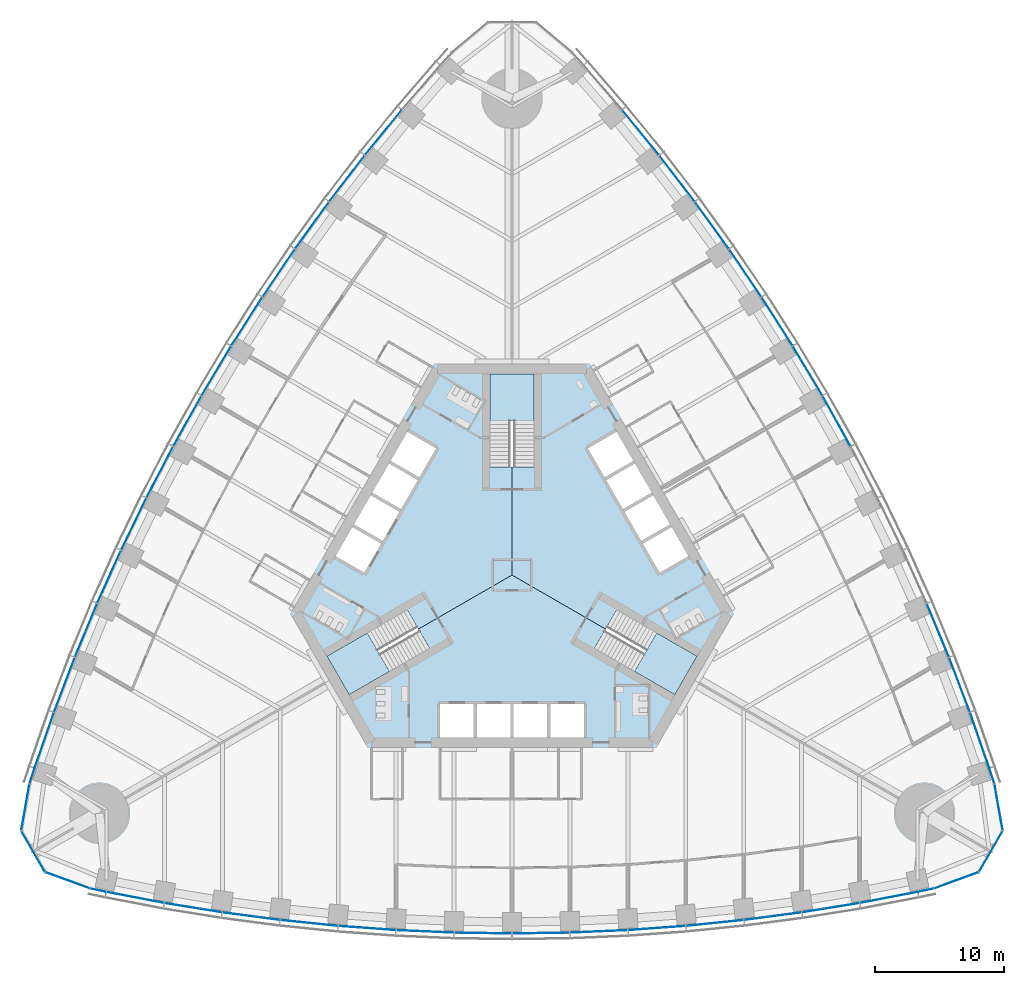
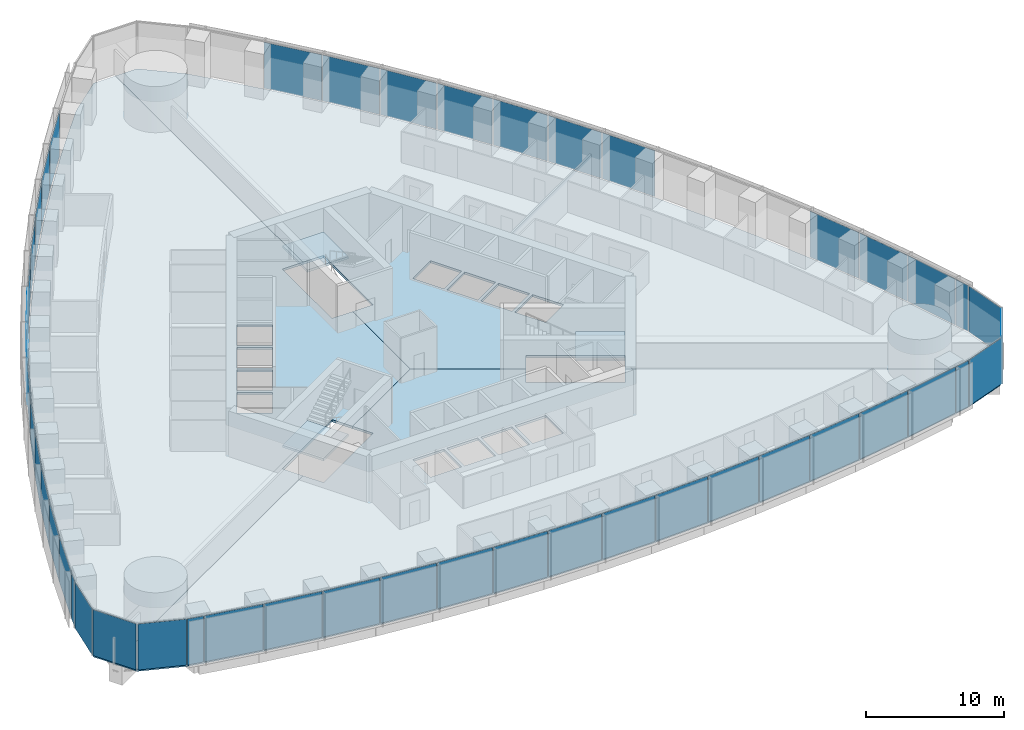
# One storey, part 8 of 19: 47 plates, 6 slabs, 8 elements without a shape of their own.
"""IFC4 building model written with IfcOpenShell, lengths in metres."""

from ifc_helpers import new_model, si_unit, direction, frame, origin, origin_2d, place, context, subcontext, project, spatial, polyline, rectangle, outline, extrude, material, layer, layer_set, type_object, element, aggregate, save


model = new_model("IFC4")

# Units and contexts
model_context = context("Model", 3, precision=1e-05, world=origin(), true_north=direction((0.0, 1.0)))
body_context = subcontext(model_context, "Body", "Model", "MODEL_VIEW")
ifc_project = project(units=[si_unit("LENGTHUNIT", "METRE"), si_unit("AREAUNIT", "SQUARE_METRE"), si_unit("VOLUMEUNIT", "CUBIC_METRE"), si_unit("PLANEANGLEUNIT", "RADIAN"), si_unit("MASSUNIT", "GRAM", prefix="KILO")], contexts=[model_context])

# Site, building, storey
site_placement = place(None, origin())
site = spatial("IfcSite", under=ifc_project, at=site_placement, CompositionType="ELEMENT")
building_placement = place(site_placement, origin())
building = spatial("IfcBuilding", under=site, at=building_placement, Name="Trefoil Bronze Tower", CompositionType="ELEMENT")
storey_placement = place(building_placement, frame((0.0, 0.0, 20.699951171875)))
storey = spatial("IfcBuildingStorey", under=building, at=storey_placement, Name="L04", CompositionType="ELEMENT", Elevation=20.699951171875)

# Curtain wall, plates
ifc_material_1 = material(Name="Tinted solar-control glass", Category="glass")
curtain_wall_type_1 = type_object("IfcCurtainWallType", Name="Bronze office curtain wall", PredefinedType="USERDEFINED", material=ifc_material_1)
curtain_wall_1_placement = place(storey_placement, origin())
curtain_wall_1 = element("IfcCurtainWall", 1, at=curtain_wall_1_placement, inside=storey, type_object=curtain_wall_type_1, Name="CW-A L04 F1", ObjectType="CURTAIN WALL", PredefinedType="USERDEFINED")
ifc_material_2 = material(Name="Tinted solar-control glass", Category="glass")
ifc_layer_1 = layer(ifc_material_2, 0.030029296875)
ifc_layer_set_1 = layer_set([ifc_layer_1], Name="Bronze office curtain wall glass panel")
plate_type_1 = type_object("IfcPlateType", Name="Bronze office curtain wall glass panel", PredefinedType="CURTAIN_PANEL", material=ifc_layer_set_1)
plate_1_placement = place(storey_placement, frame((-32.15185546875, -24.480224609375, 0.0), z_axis=(0.0, 0.0, 1.0), x_axis=(0.978302717041, -0.207180582657, 0.0)))
plate_1 = element("IfcPlate", 2, at=plate_1_placement, type_object=plate_type_1, Name="CW-A L04 F1 panel 1", PredefinedType="CURTAIN_PANEL", context=body_context, shape_type="SweptSolid", body=[
    extrude(rectangle(XDim=1.21044921875, YDim=0.030029296875, at=origin_2d()), origin(), (0.0, 0.0, 1.0), 4.080078125),
])
plate_2_placement = place(storey_placement, frame((-29.268798828125, -25.04638671875, 0.0), z_axis=(0.0, 0.0, 1.0), x_axis=(0.982049823817, -0.188621694249, 0.0)))
plate_2 = element("IfcPlate", 3, at=plate_2_placement, type_object=plate_type_1, Name="CW-A L04 F1 panel 2", PredefinedType="CURTAIN_PANEL", context=body_context, shape_type="SweptSolid", body=[
    extrude(rectangle(XDim=4.502197265625, YDim=0.030029296875, at=origin_2d()), origin(), (0.0, 0.0, 1.0), 4.080078125),
])
plate_3_placement = place(storey_placement, frame((-24.765869140625, -25.8427734375, 0.0), z_axis=(0.0, 0.0, 1.0), x_axis=(0.987181315145, -0.159602791421, 0.0)))
plate_3 = element("IfcPlate", 4, at=plate_3_placement, type_object=plate_type_1, Name="CW-A L04 F1 panel 3", PredefinedType="CURTAIN_PANEL", context=body_context, shape_type="SweptSolid", body=[
    extrude(rectangle(XDim=4.478515625, YDim=0.030029296875, at=origin_2d()), origin(), (0.0, 0.0, 1.0), 4.080078125),
])
plate_4_placement = place(storey_placement, frame((-20.262939453125, -26.50341796875, 0.0), z_axis=(0.0, 0.0, 1.0), x_axis=(0.991437251591, -0.130583981243, 0.0)))
plate_4 = element("IfcPlate", 5, at=plate_4_placement, type_object=plate_type_1, Name="CW-A L04 F1 panel 4", PredefinedType="CURTAIN_PANEL", context=body_context, shape_type="SweptSolid", body=[
    extrude(rectangle(XDim=4.458984375, YDim=0.030029296875, at=origin_2d()), origin(), (0.0, 0.0, 1.0), 4.080078125),
])
plate_5_placement = place(storey_placement, frame((-15.76025390625, -27.02978515625, 0.0), z_axis=(0.0, 0.0, 1.0), x_axis=(0.994828880293, -0.101565244717, 0.0)))
plate_5 = element("IfcPlate", 6, at=plate_5_placement, type_object=plate_type_1, Name="CW-A L04 F1 panel 5", PredefinedType="CURTAIN_PANEL", context=body_context, shape_type="SweptSolid", body=[
    extrude(rectangle(XDim=4.443359375, YDim=0.030029296875, at=origin_2d()), origin(), (0.0, 0.0, 1.0), 4.080078125),
])
plate_6_placement = place(storey_placement, frame((-11.25732421875, -27.42333984375, 0.0), z_axis=(0.0, 0.0, 1.0), x_axis=(0.99736502647, -0.072546564177, 0.0)))
plate_6 = element("IfcPlate", 7, at=plate_6_placement, type_object=plate_type_1, Name="CW-A L04 F1 panel 6", PredefinedType="CURTAIN_PANEL", context=body_context, shape_type="SweptSolid", body=[
    extrude(rectangle(XDim=4.431884765625, YDim=0.030029296875, at=origin_2d()), origin(), (0.0, 0.0, 1.0), 4.080078125),
])
plate_7_placement = place(storey_placement, frame((-6.75439453125, -27.685302734375, 0.0), z_axis=(0.0, 0.0, 1.0), x_axis=(0.999052210809, -0.043527922969, 0.0)))
plate_7 = element("IfcPlate", 8, at=plate_7_placement, type_object=plate_type_1, Name="CW-A L04 F1 panel 7", PredefinedType="CURTAIN_PANEL", context=body_context, shape_type="SweptSolid", body=[
    extrude(rectangle(XDim=4.42431640625, YDim=0.030029296875, at=origin_2d()), origin(), (0.0, 0.0, 1.0), 4.080078125),
])
plate_8_placement = place(storey_placement, frame((-2.25146484375, -27.816162109375, 0.0), z_axis=(0.0, 0.0, 1.0), x_axis=(0.999894734493, -0.014509305083, 0.0)))
plate_8 = element("IfcPlate", 9, at=plate_8_placement, type_object=plate_type_1, Name="CW-A L04 F1 panel 8", PredefinedType="CURTAIN_PANEL", context=body_context, shape_type="SweptSolid", body=[
    extrude(rectangle(XDim=4.42041015625, YDim=0.030029296875, at=origin_2d()), origin(), (0.0, 0.0, 1.0), 4.080078125),
])
plate_9_placement = place(storey_placement, frame((2.25146484375, -27.816162109375, 0.0), z_axis=(0.0, 0.0, 1.0), x_axis=(0.999894734493, 0.014509305083, 0.0)))
plate_9 = element("IfcPlate", 10, at=plate_9_placement, type_object=plate_type_1, Name="CW-A L04 F1 panel 9", PredefinedType="CURTAIN_PANEL", context=body_context, shape_type="SweptSolid", body=[
    extrude(rectangle(XDim=4.42041015625, YDim=0.030029296875, at=origin_2d()), origin(), (0.0, 0.0, 1.0), 4.080078125),
])
plate_10_placement = place(storey_placement, frame((6.75439453125, -27.685302734375, 0.0), z_axis=(0.0, 0.0, 1.0), x_axis=(0.999052210809, 0.043527922969, 0.0)))
plate_10 = element("IfcPlate", 11, at=plate_10_placement, type_object=plate_type_1, Name="CW-A L04 F1 panel 10", PredefinedType="CURTAIN_PANEL", context=body_context, shape_type="SweptSolid", body=[
    extrude(rectangle(XDim=4.42431640625, YDim=0.030029296875, at=origin_2d()), origin(), (0.0, 0.0, 1.0), 4.080078125),
])
plate_11_placement = place(storey_placement, frame((11.25732421875, -27.42333984375, 0.0), z_axis=(0.0, 0.0, 1.0), x_axis=(0.99736502647, 0.072546564177, 0.0)))
plate_11 = element("IfcPlate", 12, at=plate_11_placement, type_object=plate_type_1, Name="CW-A L04 F1 panel 11", PredefinedType="CURTAIN_PANEL", context=body_context, shape_type="SweptSolid", body=[
    extrude(rectangle(XDim=4.431884765625, YDim=0.030029296875, at=origin_2d()), origin(), (0.0, 0.0, 1.0), 4.080078125),
])
plate_12_placement = place(storey_placement, frame((15.76025390625, -27.02978515625, 0.0), z_axis=(0.0, 0.0, 1.0), x_axis=(0.994828880293, 0.101565244717, 0.0)))
plate_12 = element("IfcPlate", 13, at=plate_12_placement, type_object=plate_type_1, Name="CW-A L04 F1 panel 12", PredefinedType="CURTAIN_PANEL", context=body_context, shape_type="SweptSolid", body=[
    extrude(rectangle(XDim=4.443359375, YDim=0.030029296875, at=origin_2d()), origin(), (0.0, 0.0, 1.0), 4.080078125),
])
plate_13_placement = place(storey_placement, frame((20.262939453125, -26.50341796875, 0.0), z_axis=(0.0, 0.0, 1.0), x_axis=(0.991437251591, 0.130583981243, 0.0)))
plate_13 = element("IfcPlate", 14, at=plate_13_placement, type_object=plate_type_1, Name="CW-A L04 F1 panel 13", PredefinedType="CURTAIN_PANEL", context=body_context, shape_type="SweptSolid", body=[
    extrude(rectangle(XDim=4.458984375, YDim=0.030029296875, at=origin_2d()), origin(), (0.0, 0.0, 1.0), 4.080078125),
])
plate_14_placement = place(storey_placement, frame((24.765869140625, -25.8427734375, 0.0), z_axis=(0.0, 0.0, 1.0), x_axis=(0.987181315145, 0.159602791421, 0.0)))
plate_14 = element("IfcPlate", 15, at=plate_14_placement, type_object=plate_type_1, Name="CW-A L04 F1 panel 14", PredefinedType="CURTAIN_PANEL", context=body_context, shape_type="SweptSolid", body=[
    extrude(rectangle(XDim=4.478515625, YDim=0.030029296875, at=origin_2d()), origin(), (0.0, 0.0, 1.0), 4.080078125),
])
plate_15_placement = place(storey_placement, frame((29.268798828125, -25.04638671875, 0.0), z_axis=(0.0, 0.0, 1.0), x_axis=(0.982049823817, 0.188621694249, 0.0)))
plate_15 = element("IfcPlate", 16, at=plate_15_placement, type_object=plate_type_1, Name="CW-A L04 F1 panel 15", PredefinedType="CURTAIN_PANEL", context=body_context, shape_type="SweptSolid", body=[
    extrude(rectangle(XDim=4.502197265625, YDim=0.030029296875, at=origin_2d()), origin(), (0.0, 0.0, 1.0), 4.080078125),
])
plate_16_placement = place(storey_placement, frame((32.15185546875, -24.480224609375, 0.0), z_axis=(0.0, 0.0, 1.0), x_axis=(0.978302717041, 0.207180582657, 0.0)))
plate_16 = element("IfcPlate", 17, at=plate_16_placement, type_object=plate_type_1, Name="CW-A L04 F1 panel 16", PredefinedType="CURTAIN_PANEL", context=body_context, shape_type="SweptSolid", body=[
    extrude(rectangle(XDim=1.21044921875, YDim=0.030029296875, at=origin_2d()), origin(), (0.0, 0.0, 1.0), 4.080078125),
])
aggregate(curtain_wall_1, [plate_1, plate_2, plate_3, plate_4, plate_5, plate_6, plate_7, plate_8, plate_9, plate_10, plate_11, plate_12, plate_13, plate_14, plate_15, plate_16])

curtain_wall_2_placement = place(storey_placement, origin())
curtain_wall_2 = element("IfcCurtainWall", 18, at=curtain_wall_2_placement, inside=storey, type_object=curtain_wall_type_1, Name="CW-A L04 F2", ObjectType="CURTAIN WALL", PredefinedType="USERDEFINED")
plate_17_placement = place(storey_placement, frame((37.2763671875, -15.604248046875, 0.0), z_axis=(0.0, 0.0, 1.0), x_axis=(-0.309727710769, 0.950825296877, 0.0)))
plate_17 = element("IfcPlate", 19, at=plate_17_placement, type_object=plate_type_1, Name="CW-A L04 F2 panel 1", PredefinedType="CURTAIN_PANEL", context=body_context, shape_type="SweptSolid", body=[
    extrude(rectangle(XDim=1.21044921875, YDim=0.030029296875, at=origin_2d()), origin(), (0.0, 0.0, 1.0), 4.080078125),
])
plate_18_placement = place(storey_placement, frame((36.3251953125, -12.824462890625, 0.0), z_axis=(0.0, 0.0, 1.0), x_axis=(-0.327673732984, 0.944790942332, 0.0)))
plate_18 = element("IfcPlate", 20, at=plate_18_placement, type_object=plate_type_1, Name="CW-A L04 F2 panel 2", PredefinedType="CURTAIN_PANEL", context=body_context, shape_type="SweptSolid", body=[
    extrude(rectangle(XDim=4.502197265625, YDim=0.030029296875, at=origin_2d()), origin(), (0.0, 0.0, 1.0), 4.080078125),
])
plate_19_placement = place(storey_placement, frame((34.763427734375, -8.526611328125, 0.0), z_axis=(0.0, 0.0, 1.0), x_axis=(-0.355370585687, 0.934725492767, 0.0)))
plate_19 = element("IfcPlate", 21, at=plate_19_placement, type_object=plate_type_1, Name="CW-A L04 F2 panel 3", PredefinedType="CURTAIN_PANEL", context=body_context, shape_type="SweptSolid", body=[
    extrude(rectangle(XDim=4.478515625, YDim=0.030029296875, at=origin_2d()), origin(), (0.0, 0.0, 1.0), 4.080078125),
])
plate_20_placement = place(storey_placement, frame((33.084228515625, -4.296630859375, 0.0), z_axis=(0.0, 0.0, 1.0), x_axis=(-0.382629580712, 0.923901836758, 0.0)))
plate_20 = element("IfcPlate", 22, at=plate_20_placement, type_object=plate_type_1, Name="CW-A L04 F2 panel 4", PredefinedType="CURTAIN_PANEL", context=body_context, shape_type="SweptSolid", body=[
    extrude(rectangle(XDim=4.458984375, YDim=0.030029296875, at=origin_2d()), origin(), (0.0, 0.0, 1.0), 4.080078125),
])
plate_21_placement = place(storey_placement, frame((25.215087890625, 11.958251953125, 0.0), z_axis=(0.0, 0.0, 1.0), x_axis=(-0.487381940453, 0.873188893722, 0.0)))
plate_21 = element("IfcPlate", 23, at=plate_21_placement, type_object=plate_type_1, Name="CW-A L04 F2 panel 8", PredefinedType="CURTAIN_PANEL", context=body_context, shape_type="SweptSolid", body=[
    extrude(rectangle(XDim=4.42041015625, YDim=0.030029296875, at=origin_2d()), origin(), (0.0, 0.0, 1.0), 4.080078125),
])
plate_22_placement = place(storey_placement, frame((22.963623046875, 15.85791015625, 0.0), z_axis=(0.0, 0.0, 1.0), x_axis=(-0.51251279404, 0.858679588639, 0.0)))
plate_22 = element("IfcPlate", 24, at=plate_22_placement, type_object=plate_type_1, Name="CW-A L04 F2 panel 9", PredefinedType="CURTAIN_PANEL", context=body_context, shape_type="SweptSolid", body=[
    extrude(rectangle(XDim=4.42041015625, YDim=0.030029296875, at=origin_2d()), origin(), (0.0, 0.0, 1.0), 4.080078125),
])
plate_23_placement = place(storey_placement, frame((20.598876953125, 19.692138671875, 0.0), z_axis=(0.0, 0.0, 1.0), x_axis=(-0.537222392469, 0.843440632783, 0.0)))
plate_23 = element("IfcPlate", 25, at=plate_23_placement, type_object=plate_type_1, Name="CW-A L04 F2 panel 10", PredefinedType="CURTAIN_PANEL", context=body_context, shape_type="SweptSolid", body=[
    extrude(rectangle(XDim=4.42431640625, YDim=0.030029296875, at=origin_2d()), origin(), (0.0, 0.0, 1.0), 4.080078125),
])
plate_24_placement = place(storey_placement, frame((18.120849609375, 23.460693359375, 0.0), z_axis=(0.0, 0.0, 1.0), x_axis=(-0.56150968077, 0.827470167681, 0.0)))
plate_24 = element("IfcPlate", 26, at=plate_24_placement, type_object=plate_type_1, Name="CW-A L04 F2 panel 11", PredefinedType="CURTAIN_PANEL", context=body_context, shape_type="SweptSolid", body=[
    extrude(rectangle(XDim=4.431884765625, YDim=0.030029296875, at=origin_2d()), origin(), (0.0, 0.0, 1.0), 4.080078125),
])
plate_25_placement = place(storey_placement, frame((15.5283203125, 27.16357421875, 0.0), z_axis=(0.0, 0.0, 1.0), x_axis=(-0.585372522213, 0.810764460394, 0.0)))
plate_25 = element("IfcPlate", 27, at=plate_25_placement, type_object=plate_type_1, Name="CW-A L04 F2 panel 12", PredefinedType="CURTAIN_PANEL", context=body_context, shape_type="SweptSolid", body=[
    extrude(rectangle(XDim=4.443359375, YDim=0.030029296875, at=origin_2d()), origin(), (0.0, 0.0, 1.0), 4.080078125),
])
plate_26_placement = place(storey_placement, frame((12.821044921875, 30.800048828125, 0.0), z_axis=(0.0, 0.0, 1.0), x_axis=(-0.608807670879, 0.793317855515, 0.0)))
plate_26 = element("IfcPlate", 28, at=plate_26_placement, type_object=plate_type_1, Name="CW-A L04 F2 panel 13", PredefinedType="CURTAIN_PANEL", context=body_context, shape_type="SweptSolid", body=[
    extrude(rectangle(XDim=4.458984375, YDim=0.030029296875, at=origin_2d()), origin(), (0.0, 0.0, 1.0), 4.080078125),
])
plate_27_placement = place(storey_placement, frame((9.99755859375, 34.369384765625, 0.0), z_axis=(0.0, 0.0, 1.0), x_axis=(-0.631810729457, 0.775122701346, 0.0)))
plate_27 = element("IfcPlate", 29, at=plate_27_placement, type_object=plate_type_1, Name="CW-A L04 F2 panel 14", PredefinedType="CURTAIN_PANEL", context=body_context, shape_type="SweptSolid", body=[
    extrude(rectangle(XDim=4.478515625, YDim=0.030029296875, at=origin_2d()), origin(), (0.0, 0.0, 1.0), 4.080078125),
])
aggregate(curtain_wall_2, [plate_17, plate_18, plate_19, plate_20, plate_21, plate_22, plate_23, plate_24, plate_25, plate_26, plate_27])

curtain_wall_3_placement = place(storey_placement, origin())
curtain_wall_3 = element("IfcCurtainWall", 30, at=curtain_wall_3_placement, inside=storey, type_object=curtain_wall_type_1, Name="CW-A L04 F3", ObjectType="CURTAIN WALL", PredefinedType="USERDEFINED")
plate_28_placement = place(storey_placement, frame((-9.99755859375, 34.369384765625, 0.0), z_axis=(0.0, 0.0, 1.0), x_axis=(-0.631810729457, -0.775122701346, 0.0)))
plate_28 = element("IfcPlate", 31, at=plate_28_placement, type_object=plate_type_1, Name="CW-A L04 F3 panel 3", PredefinedType="CURTAIN_PANEL", context=body_context, shape_type="SweptSolid", body=[
    extrude(rectangle(XDim=4.478515625, YDim=0.030029296875, at=origin_2d()), origin(), (0.0, 0.0, 1.0), 4.080078125),
])
plate_29_placement = place(storey_placement, frame((-12.821044921875, 30.800048828125, 0.0), z_axis=(0.0, 0.0, 1.0), x_axis=(-0.608807670879, -0.793317855515, 0.0)))
plate_29 = element("IfcPlate", 32, at=plate_29_placement, type_object=plate_type_1, Name="CW-A L04 F3 panel 4", PredefinedType="CURTAIN_PANEL", context=body_context, shape_type="SweptSolid", body=[
    extrude(rectangle(XDim=4.458984375, YDim=0.030029296875, at=origin_2d()), origin(), (0.0, 0.0, 1.0), 4.080078125),
])
plate_30_placement = place(storey_placement, frame((-15.5283203125, 27.16357421875, 0.0), z_axis=(0.0, 0.0, 1.0), x_axis=(-0.585372522213, -0.810764460394, 0.0)))
plate_30 = element("IfcPlate", 33, at=plate_30_placement, type_object=plate_type_1, Name="CW-A L04 F3 panel 5", PredefinedType="CURTAIN_PANEL", context=body_context, shape_type="SweptSolid", body=[
    extrude(rectangle(XDim=4.443359375, YDim=0.030029296875, at=origin_2d()), origin(), (0.0, 0.0, 1.0), 4.080078125),
])
plate_31_placement = place(storey_placement, frame((-18.120849609375, 23.460693359375, 0.0), z_axis=(0.0, 0.0, 1.0), x_axis=(-0.56150968077, -0.827470167681, 0.0)))
plate_31 = element("IfcPlate", 34, at=plate_31_placement, type_object=plate_type_1, Name="CW-A L04 F3 panel 6", PredefinedType="CURTAIN_PANEL", context=body_context, shape_type="SweptSolid", body=[
    extrude(rectangle(XDim=4.431884765625, YDim=0.030029296875, at=origin_2d()), origin(), (0.0, 0.0, 1.0), 4.080078125),
])
plate_32_placement = place(storey_placement, frame((-20.598876953125, 19.692138671875, 0.0), z_axis=(0.0, 0.0, 1.0), x_axis=(-0.537222392469, -0.843440632783, 0.0)))
plate_32 = element("IfcPlate", 35, at=plate_32_placement, type_object=plate_type_1, Name="CW-A L04 F3 panel 7", PredefinedType="CURTAIN_PANEL", context=body_context, shape_type="SweptSolid", body=[
    extrude(rectangle(XDim=4.42431640625, YDim=0.030029296875, at=origin_2d()), origin(), (0.0, 0.0, 1.0), 4.080078125),
])
plate_33_placement = place(storey_placement, frame((-22.963623046875, 15.85791015625, 0.0), z_axis=(0.0, 0.0, 1.0), x_axis=(-0.51251279404, -0.858679588639, 0.0)))
plate_33 = element("IfcPlate", 36, at=plate_33_placement, type_object=plate_type_1, Name="CW-A L04 F3 panel 8", PredefinedType="CURTAIN_PANEL", context=body_context, shape_type="SweptSolid", body=[
    extrude(rectangle(XDim=4.42041015625, YDim=0.030029296875, at=origin_2d()), origin(), (0.0, 0.0, 1.0), 4.080078125),
])
plate_34_placement = place(storey_placement, frame((-25.215087890625, 11.958251953125, 0.0), z_axis=(0.0, 0.0, 1.0), x_axis=(-0.487381940453, -0.873188893722, 0.0)))
plate_34 = element("IfcPlate", 37, at=plate_34_placement, type_object=plate_type_1, Name="CW-A L04 F3 panel 9", PredefinedType="CURTAIN_PANEL", context=body_context, shape_type="SweptSolid", body=[
    extrude(rectangle(XDim=4.42041015625, YDim=0.030029296875, at=origin_2d()), origin(), (0.0, 0.0, 1.0), 4.080078125),
])
plate_35_placement = place(storey_placement, frame((-27.353271484375, 7.9931640625, 0.0), z_axis=(0.0, 0.0, 1.0), x_axis=(-0.46182981834, -0.886968555752, 0.0)))
plate_35 = element("IfcPlate", 38, at=plate_35_placement, type_object=plate_type_1, Name="CW-A L04 F3 panel 10", PredefinedType="CURTAIN_PANEL", context=body_context, shape_type="SweptSolid", body=[
    extrude(rectangle(XDim=4.42431640625, YDim=0.030029296875, at=origin_2d()), origin(), (0.0, 0.0, 1.0), 4.080078125),
])
plate_36_placement = place(storey_placement, frame((-29.3779296875, 3.962646484375, 0.0), z_axis=(0.0, 0.0, 1.0), x_axis=(-0.4358553457, -0.900016731858, 0.0)))
plate_36 = element("IfcPlate", 39, at=plate_36_placement, type_object=plate_type_1, Name="CW-A L04 F3 panel 11", PredefinedType="CURTAIN_PANEL", context=body_context, shape_type="SweptSolid", body=[
    extrude(rectangle(XDim=4.431884765625, YDim=0.030029296875, at=origin_2d()), origin(), (0.0, 0.0, 1.0), 4.080078125),
])
plate_37_placement = place(storey_placement, frame((-31.28857421875, -0.1337890625, 0.0), z_axis=(0.0, 0.0, 1.0), x_axis=(-0.40945635808, -0.912329705111, 0.0)))
plate_37 = element("IfcPlate", 40, at=plate_37_placement, type_object=plate_type_1, Name="CW-A L04 F3 panel 12", PredefinedType="CURTAIN_PANEL", context=body_context, shape_type="SweptSolid", body=[
    extrude(rectangle(XDim=4.443359375, YDim=0.030029296875, at=origin_2d()), origin(), (0.0, 0.0, 1.0), 4.080078125),
])
plate_38_placement = place(storey_placement, frame((-33.084228515625, -4.296630859375, 0.0), z_axis=(0.0, 0.0, 1.0), x_axis=(-0.382629580712, -0.923901836758, 0.0)))
plate_38 = element("IfcPlate", 41, at=plate_38_placement, type_object=plate_type_1, Name="CW-A L04 F3 panel 13", PredefinedType="CURTAIN_PANEL", context=body_context, shape_type="SweptSolid", body=[
    extrude(rectangle(XDim=4.458984375, YDim=0.030029296875, at=origin_2d()), origin(), (0.0, 0.0, 1.0), 4.080078125),
])
plate_39_placement = place(storey_placement, frame((-34.763427734375, -8.526611328125, 0.0), z_axis=(0.0, 0.0, 1.0), x_axis=(-0.355370585687, -0.934725492767, 0.0)))
plate_39 = element("IfcPlate", 42, at=plate_39_placement, type_object=plate_type_1, Name="CW-A L04 F3 panel 14", PredefinedType="CURTAIN_PANEL", context=body_context, shape_type="SweptSolid", body=[
    extrude(rectangle(XDim=4.478515625, YDim=0.030029296875, at=origin_2d()), origin(), (0.0, 0.0, 1.0), 4.080078125),
])
plate_40_placement = place(storey_placement, frame((-36.3251953125, -12.824462890625, 0.0), z_axis=(0.0, 0.0, 1.0), x_axis=(-0.327673732984, -0.944790942332, 0.0)))
plate_40 = element("IfcPlate", 43, at=plate_40_placement, type_object=plate_type_1, Name="CW-A L04 F3 panel 15", PredefinedType="CURTAIN_PANEL", context=body_context, shape_type="SweptSolid", body=[
    extrude(rectangle(XDim=4.502197265625, YDim=0.030029296875, at=origin_2d()), origin(), (0.0, 0.0, 1.0), 4.080078125),
])
plate_41_placement = place(storey_placement, frame((-37.2763671875, -15.604248046875, 0.0), z_axis=(0.0, 0.0, 1.0), x_axis=(-0.309727710769, -0.950825296877, 0.0)))
plate_41 = element("IfcPlate", 44, at=plate_41_placement, type_object=plate_type_1, Name="CW-A L04 F3 panel 16", PredefinedType="CURTAIN_PANEL", context=body_context, shape_type="SweptSolid", body=[
    extrude(rectangle(XDim=1.21044921875, YDim=0.030029296875, at=origin_2d()), origin(), (0.0, 0.0, 1.0), 4.080078125),
])
aggregate(curtain_wall_3, [plate_28, plate_29, plate_30, plate_31, plate_32, plate_33, plate_34, plate_35, plate_36, plate_37, plate_38, plate_39, plate_40, plate_41])

ifc_material_3 = material(Name="Tinted solar-control glass", Category="glass")
curtain_wall_type_2 = type_object("IfcCurtainWallType", Name="Bronze rounded corner curtain wall", PredefinedType="USERDEFINED", material=ifc_material_3)
curtain_wall_4_placement = place(storey_placement, origin())
curtain_wall_4 = element("IfcCurtainWall", 45, at=curtain_wall_4_placement, inside=storey, type_object=curtain_wall_type_2, Name="CW-B L04 K1", ObjectType="CURTAIN WALL", PredefinedType="USERDEFINED")
ifc_material_4 = material(Name="Tinted solar-control glass", Category="glass")
ifc_layer_2 = layer(ifc_material_4, 0.030029296875)
ifc_layer_set_2 = layer_set([ifc_layer_2], Name="Bronze rounded corner curtain wall glass panel")
plate_type_2 = type_object("IfcPlateType", Name="Bronze rounded corner curtain wall glass panel", PredefinedType="CURTAIN_PANEL", material=ifc_layer_set_2)
plate_42_placement = place(storey_placement, frame((34.5107421875, -23.71875, 0.0), z_axis=(0.0, 0.0, 1.0), x_axis=(0.939692620786, 0.342020143326, 0.0)))
plate_42 = element("IfcPlate", 46, at=plate_42_placement, type_object=plate_type_2, Name="CW-B L04 K1 panel 1", PredefinedType="CURTAIN_PANEL", context=body_context, shape_type="SweptSolid", body=[
    extrude(rectangle(XDim=3.588134765625, YDim=0.030029296875, at=origin_2d()), origin(), (0.0, 0.0, 1.0), 4.080078125),
])
plate_43_placement = place(storey_placement, frame((37.189208984375, -21.47119140625, 0.0), z_axis=(0.0, 0.0, 1.0), x_axis=(0.5, 0.866025403784, 0.0)))
plate_43 = element("IfcPlate", 47, at=plate_43_placement, type_object=plate_type_2, Name="CW-B L04 K1 panel 2", PredefinedType="CURTAIN_PANEL", context=body_context, shape_type="SweptSolid", body=[
    extrude(rectangle(XDim=3.588134765625, YDim=0.030029296875, at=origin_2d()), origin(), (0.0, 0.0, 1.0), 4.080078125),
])
plate_44_placement = place(storey_placement, frame((37.79638671875, -18.02783203125, 0.0), z_axis=(0.0, 0.0, 1.0), x_axis=(-0.173648177667, 0.984807753012, 0.0)))
plate_44 = element("IfcPlate", 48, at=plate_44_placement, type_object=plate_type_2, Name="CW-B L04 K1 panel 3", PredefinedType="CURTAIN_PANEL", context=body_context, shape_type="SweptSolid", body=[
    extrude(rectangle(XDim=3.588134765625, YDim=0.030029296875, at=origin_2d()), origin(), (0.0, 0.0, 1.0), 4.080078125),
])
aggregate(curtain_wall_4, [plate_42, plate_43, plate_44])

curtain_wall_5_placement = place(storey_placement, origin())
curtain_wall_5 = element("IfcCurtainWall", 49, at=curtain_wall_5_placement, inside=storey, type_object=curtain_wall_type_2, Name="CW-B L04 K3", ObjectType="CURTAIN WALL", PredefinedType="USERDEFINED")
plate_45_placement = place(storey_placement, frame((-37.79638671875, -18.02783203125, 0.0), z_axis=(0.0, 0.0, 1.0), x_axis=(-0.173648177667, -0.984807753012, 0.0)))
plate_45 = element("IfcPlate", 50, at=plate_45_placement, type_object=plate_type_2, Name="CW-B L04 K3 panel 1", PredefinedType="CURTAIN_PANEL", context=body_context, shape_type="SweptSolid", body=[
    extrude(rectangle(XDim=3.588134765625, YDim=0.030029296875, at=origin_2d()), origin(), (0.0, 0.0, 1.0), 4.080078125),
])
plate_46_placement = place(storey_placement, frame((-37.189208984375, -21.47119140625, 0.0), z_axis=(0.0, 0.0, 1.0), x_axis=(0.5, -0.866025403784, 0.0)))
plate_46 = element("IfcPlate", 51, at=plate_46_placement, type_object=plate_type_2, Name="CW-B L04 K3 panel 2", PredefinedType="CURTAIN_PANEL", context=body_context, shape_type="SweptSolid", body=[
    extrude(rectangle(XDim=3.588134765625, YDim=0.030029296875, at=origin_2d()), origin(), (0.0, 0.0, 1.0), 4.080078125),
])
plate_47_placement = place(storey_placement, frame((-34.5107421875, -23.71875, 0.0), z_axis=(0.0, 0.0, 1.0), x_axis=(0.939692620786, -0.342020143326, 0.0)))
plate_47 = element("IfcPlate", 52, at=plate_47_placement, type_object=plate_type_2, Name="CW-B L04 K3 panel 3", PredefinedType="CURTAIN_PANEL", context=body_context, shape_type="SweptSolid", body=[
    extrude(rectangle(XDim=3.588134765625, YDim=0.030029296875, at=origin_2d()), origin(), (0.0, 0.0, 1.0), 4.080078125),
])
aggregate(curtain_wall_5, [plate_45, plate_46, plate_47])

# Slabs
ifc_material_5 = material(Name="Concrete B30", Category="concrete")
ifc_layer_3 = layer(ifc_material_5, 0.199951171875)
ifc_layer_set_3 = layer_set([ifc_layer_3], Name="Floor slab 200")
slab_type_1 = type_object("IfcSlabType", Name="Floor slab 200", PredefinedType="FLOOR", material=ifc_layer_set_3)
slab_1_placement = place(storey_placement, frame((0.0, 0.0, -0.199951171875)))
element("IfcSlab", 53, at=slab_1_placement, inside=storey, type_object=slab_type_1, Name="Floor slab L04 face 1", PredefinedType="FLOOR", context=body_context, shape_type="SweptSolid", body=[
    extrude(outline(polyline([(27.0, -25.38037109375), (22.5, -26.10791015625), (18.0, -26.70068359375), (13.5, -27.159912109375), (9.0, -27.4873046875), (4.5, -27.683349609375), (0.0, -27.748779296875), (-4.5, -27.683349609375), (-9.0, -27.4873046875), (-13.5, -27.159912109375), (-18.0, -26.70068359375), (-22.5, -26.10791015625), (-27.0, -25.38037109375), (-31.5, -24.51611328125), (-32.762451171875, -24.248779296875), (-36.190673828125, -23.0009765625), (-37.1025390625, -21.421142578125), (-13.510009765625, -7.800048828125), (-12.6474609375, -9.2939453125), (-6.412109375, -5.69384765625), (-7.274658203125, -4.199951171875), (0.0, 0.0), (7.274658203125, -4.199951171875), (6.412109375, -5.69384765625), (12.6474609375, -9.2939453125), (13.510009765625, -7.800048828125), (37.1025390625, -21.421142578125), (36.190673828125, -23.0009765625), (32.762451171875, -24.248779296875), (31.5, -24.51611328125), (27.0, -25.38037109375)]), holes=[polyline([(-5.574951171875, -10.02490234375), (-2.97509765625, -10.02490234375), (-2.97509765625, -12.60009765625), (-5.574951171875, -12.60009765625), (-5.574951171875, -10.02490234375)]), polyline([(-2.72509765625, -10.02490234375), (-0.125, -10.02490234375), (-0.125, -12.60009765625), (-2.72509765625, -12.60009765625), (-2.72509765625, -10.02490234375)]), polyline([(0.125, -10.02490234375), (2.72509765625, -10.02490234375), (2.72509765625, -12.60009765625), (0.125, -12.60009765625), (0.125, -10.02490234375)]), polyline([(2.97509765625, -10.02490234375), (5.574951171875, -10.02490234375), (5.574951171875, -12.60009765625), (2.97509765625, -12.60009765625), (2.97509765625, -10.02490234375)])]), origin(), (0.0, 0.0, 1.0), 0.199951171875),
])
slab_2_placement = place(storey_placement, frame((0.0, 0.0, -0.199951171875)))
element("IfcSlab", 54, at=slab_2_placement, inside=storey, type_object=slab_type_1, Name="Floor slab L04 face 2", PredefinedType="FLOOR", context=body_context, shape_type="SweptSolid", body=[
    extrude(outline(polyline([(8.47998046875, 36.07275390625), (11.360107421875, 32.53955078125), (14.123291015625, 28.938720703125), (16.771240234375, 25.271240234375), (19.3046875, 21.537841796875), (21.724609375, 17.73876953125), (24.031005859375, 13.874267578125), (26.224609375, 9.944580078125), (28.3046875, 5.949462890625), (30.271240234375, 1.888671875), (32.123291015625, -2.238037109375), (33.860107421875, -6.431640625), (35.47998046875, -10.6923828125), (36.9814453125, -15.021728515625), (37.381103515625, -16.248779296875), (38.0146484375, -19.841552734375), (37.1025390625, -21.421142578125), (13.510009765625, -7.800048828125), (14.37255859375, -6.30615234375), (8.13720703125, -2.7060546875), (7.274658203125, -4.199951171875), (0.0, 0.0), (0.0, 8.39990234375), (1.72509765625, 8.39990234375), (1.72509765625, 15.60009765625), (0.0, 15.60009765625), (0.0, 42.842529296875), (1.82421875, 42.842529296875), (4.618896484375, 40.497314453125), (5.4814453125, 39.537841796875), (8.47998046875, 36.07275390625)]), holes=[polyline([(11.469482421875, 0.184326171875), (10.16943359375, 2.43603515625), (12.3994140625, 3.7236328125), (13.699462890625, 1.471923828125), (11.469482421875, 0.184326171875)]), polyline([(10.04443359375, 2.652587890625), (8.744384765625, 4.904296875), (10.974365234375, 6.191650390625), (12.2744140625, 3.940185546875), (10.04443359375, 2.652587890625)]), polyline([(8.619384765625, 5.120849609375), (7.3193359375, 7.372314453125), (9.54931640625, 8.659912109375), (10.849365234375, 6.408203125), (8.619384765625, 5.120849609375)]), polyline([(7.1943359375, 7.5888671875), (5.894287109375, 9.840576171875), (8.12451171875, 11.128173828125), (9.42431640625, 8.87646484375), (7.1943359375, 7.5888671875)])]), origin(), (0.0, 0.0, 1.0), 0.199951171875),
])
slab_3_placement = place(storey_placement, frame((0.0, 0.0, -0.199951171875)))
element("IfcSlab", 55, at=slab_3_placement, inside=storey, type_object=slab_type_1, Name="Floor slab L04 face 3", PredefinedType="FLOOR", context=body_context, shape_type="SweptSolid", body=[
    extrude(outline(polyline([(-35.47998046875, -10.6923828125), (-33.860107421875, -6.431640625), (-32.123291015625, -2.238037109375), (-30.271240234375, 1.888671875), (-28.3046875, 5.949462890625), (-26.224609375, 9.944580078125), (-24.031005859375, 13.874267578125), (-21.724609375, 17.73876953125), (-19.3046875, 21.537841796875), (-16.771240234375, 25.271240234375), (-14.123291015625, 28.938720703125), (-11.360107421875, 32.53955078125), (-8.47998046875, 36.07275390625), (-5.4814453125, 39.537841796875), (-4.618896484375, 40.497314453125), (-1.82421875, 42.842529296875), (0.0, 42.842529296875), (0.0, 15.60009765625), (-1.72509765625, 15.60009765625), (-1.72509765625, 8.39990234375), (0.0, 8.39990234375), (0.0, 0.0), (-7.274658203125, -4.199951171875), (-8.13720703125, -2.7060546875), (-14.37255859375, -6.30615234375), (-13.510009765625, -7.800048828125), (-37.1025390625, -21.421142578125), (-38.0146484375, -19.841552734375), (-37.381103515625, -16.248779296875), (-36.9814453125, -15.021728515625), (-35.47998046875, -10.6923828125)]), holes=[polyline([(-5.894287109375, 9.840576171875), (-7.1943359375, 7.5888671875), (-9.42431640625, 8.87646484375), (-8.12451171875, 11.128173828125), (-5.894287109375, 9.840576171875)]), polyline([(-7.3193359375, 7.372314453125), (-8.619384765625, 5.120849609375), (-10.849365234375, 6.408203125), (-9.54931640625, 8.659912109375), (-7.3193359375, 7.372314453125)]), polyline([(-8.744384765625, 4.904296875), (-10.04443359375, 2.652587890625), (-12.2744140625, 3.940185546875), (-10.974365234375, 6.191650390625), (-8.744384765625, 4.904296875)]), polyline([(-10.16943359375, 2.43603515625), (-11.469482421875, 0.184326171875), (-13.699462890625, 1.471923828125), (-12.3994140625, 3.7236328125), (-10.16943359375, 2.43603515625)])]), origin(), (0.0, 0.0, 1.0), 0.199951171875),
])

# Stair, slab
ifc_material_6 = material(Name="Precast concrete B80", Category="concrete")
stair_type = type_object("IfcStairType", Name="Exit stair 26 risers", PredefinedType="HALF_TURN_STAIR", material=ifc_material_6)
stair_1_placement = place(storey_placement, origin())
stair_1 = element("IfcStair", 56, at=stair_1_placement, inside=storey, type_object=stair_type, Name="Stair ST1 L04", PredefinedType="HALF_TURN_STAIR")
ifc_material_7 = material(Name="Concrete B30", Category="concrete")
ifc_layer_4 = layer(ifc_material_7, 0.199951171875)
ifc_layer_set_4 = layer_set([ifc_layer_4], Name="Stair landing 200")
slab_type_2 = type_object("IfcSlabType", Name="Stair landing 200", PredefinedType="LANDING", material=ifc_layer_set_4)
slab_4_placement = place(storey_placement, frame((0.0, 0.0, 1.900146484375)))
slab_4 = element("IfcSlab", 57, at=slab_4_placement, type_object=slab_type_2, Name="ST1 landing 1", PredefinedType="LANDING", context=body_context, shape_type="SweptSolid", body=[
    extrude(outline(polyline([(9.512451171875, -7.48388671875), (12.6474609375, -9.2939453125), (14.37255859375, -6.30615234375), (11.237548828125, -4.49609375), (9.512451171875, -7.48388671875)])), origin(), (0.0, 0.0, 1.0), 0.199951171875),
])
aggregate(stair_1, [slab_4])

stair_2_placement = place(storey_placement, origin())
stair_2 = element("IfcStair", 58, at=stair_2_placement, inside=storey, type_object=stair_type, Name="Stair ST2 L04", PredefinedType="HALF_TURN_STAIR")
slab_5_placement = place(storey_placement, frame((0.0, 0.0, 1.900146484375)))
slab_5 = element("IfcSlab", 59, at=slab_5_placement, type_object=slab_type_2, Name="ST2 landing 1", PredefinedType="LANDING", context=body_context, shape_type="SweptSolid", body=[
    extrude(outline(polyline([(1.72509765625, 11.97998046875), (1.72509765625, 15.60009765625), (-1.72509765625, 15.60009765625), (-1.72509765625, 11.97998046875), (1.72509765625, 11.97998046875)])), origin(), (0.0, 0.0, 1.0), 0.199951171875),
])
aggregate(stair_2, [slab_5])

stair_3_placement = place(storey_placement, origin())
stair_3 = element("IfcStair", 60, at=stair_3_placement, inside=storey, type_object=stair_type, Name="Stair ST3 L04", PredefinedType="HALF_TURN_STAIR")
slab_6_placement = place(storey_placement, frame((0.0, 0.0, 1.900146484375)))
slab_6 = element("IfcSlab", 61, at=slab_6_placement, type_object=slab_type_2, Name="ST3 landing 1", PredefinedType="LANDING", context=body_context, shape_type="SweptSolid", body=[
    extrude(outline(polyline([(-11.237548828125, -4.49609375), (-14.37255859375, -6.30615234375), (-12.6474609375, -9.2939453125), (-9.512451171875, -7.48388671875), (-11.237548828125, -4.49609375)])), origin(), (0.0, 0.0, 1.0), 0.199951171875),
])
aggregate(stair_3, [slab_6])

save(model, "model.ifc")
